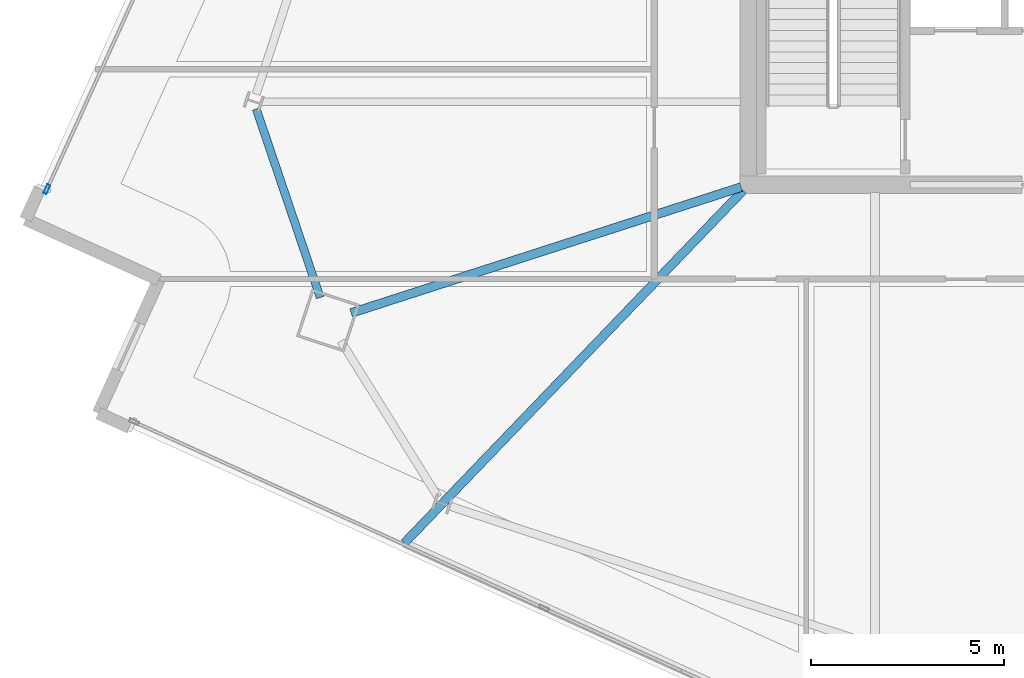
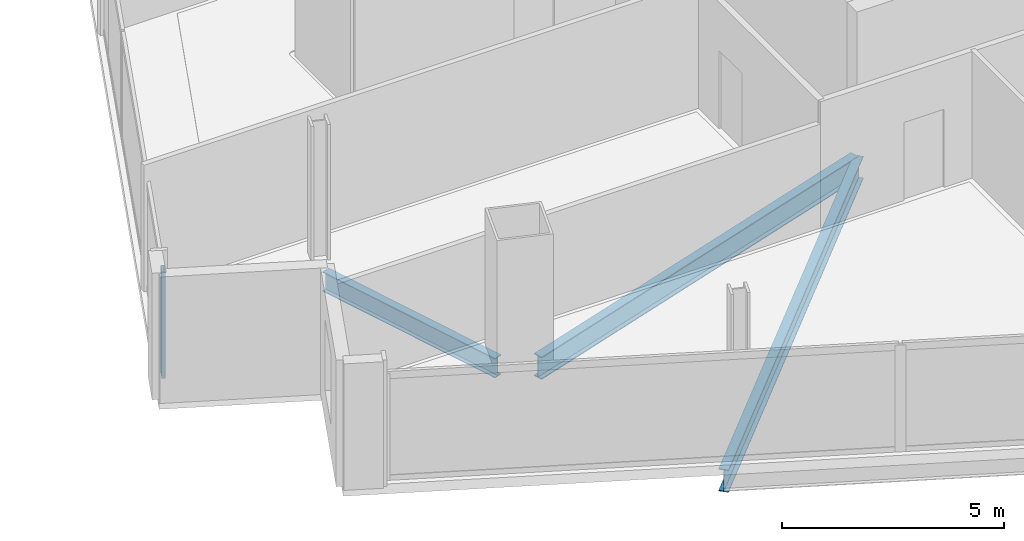
# One storey, part 5 of 26: 3 beams, 1 member, 1 element without a shape of its own.
"""IFC4 building model written with IfcOpenShell, lengths in metres."""

from ifc_helpers import new_model, si_unit, direction, frame, origin, origin_2d, place, context, subcontext, project, spatial, hollow_rectangle, i_section, extrude, material, material_profile, profile_set, type_object, element, aggregate, save


model = new_model("IFC4")

# Units and contexts
model_context = context("Model", 3, precision=1e-05, world=origin(), true_north=direction((0.0, 1.0)))
body_context = subcontext(model_context, "Body", "Model", "MODEL_VIEW")
ifc_project = project(units=[si_unit("LENGTHUNIT", "METRE"), si_unit("AREAUNIT", "SQUARE_METRE"), si_unit("VOLUMEUNIT", "CUBIC_METRE"), si_unit("PLANEANGLEUNIT", "RADIAN"), si_unit("MASSUNIT", "GRAM", prefix="KILO")], contexts=[model_context])

# Site, building, storey
site_placement = place(None, origin())
site = spatial("IfcSite", under=ifc_project, at=site_placement, CompositionType="ELEMENT")
building_placement = place(site_placement, origin())
building = spatial("IfcBuilding", under=site, at=building_placement, Name="Haldenkirk Collegiate Tower", CompositionType="ELEMENT")
storey_placement = place(building_placement, frame((0.0, 0.0, 248.699951171875)))
storey = spatial("IfcBuildingStorey", under=building, at=storey_placement, Name="L62", CompositionType="ELEMENT", Elevation=248.699951171875)

# Beams
ifc_material_1 = material(Name="Steel ASTM A992 Grade 50", Category="steel")
ifc_material_profile_1 = material_profile(ifc_material_1, i_section(OverallWidth=0.22998046875, OverallDepth=0.616943359375, WebThickness=0.01318359375, FlangeThickness=0.022216796875, at=origin_2d()), Name="W24X94")
ifc_profile_set_1 = profile_set([ifc_material_profile_1], Name="Steel ASTM A992 Grade 50")
beam_type_1 = type_object("IfcBeamType", Name="BM-GIRDER-W24X94", PredefinedType="BEAM", material=ifc_profile_set_1)
beam_1_placement = place(storey_placement, frame((16.677001953125, 14.66796875, -0.578369140625), z_axis=(0.95165454957, 0.307170340824, 0.0), x_axis=(-0.307170340824, 0.95165454957, 0.0)))
element("IfcBeam", 1, at=beam_1_placement, inside=storey, type_object=beam_type_1, Name="L62 primary floor girder 04", PredefinedType="BEAM", context=body_context, shape_type="SweptSolid", body=[
    extrude(i_section(OverallWidth=0.22998046875, OverallDepth=0.616943359375, WebThickness=0.01318359375, FlangeThickness=0.022216796875, at=origin_2d()), origin(), (0.0, 0.0, 1.0), 10.642333984375),
])
beam_2_placement = place(storey_placement, frame((18.06005859375, 8.693359375, -0.578369140625), z_axis=(0.692747884494, 0.721179844788, 0.0), x_axis=(-0.721179844788, 0.692747884494, 0.0)))
element("IfcBeam", 2, at=beam_2_placement, inside=storey, type_object=beam_type_1, Name="L62 primary floor girder 14", PredefinedType="BEAM", context=body_context, shape_type="SweptSolid", body=[
    extrude(i_section(OverallWidth=0.22998046875, OverallDepth=0.616943359375, WebThickness=0.01318359375, FlangeThickness=0.022216796875, at=origin_2d()), origin(), (0.0, 0.0, 1.0), 12.699951171875),
])
ifc_material_profile_2 = material_profile(ifc_material_1, i_section(OverallWidth=0.2099609375, OverallDepth=0.537109375, WebThickness=0.010986328125, FlangeThickness=0.017333984375, at=origin_2d()), Name="W21X68")
ifc_profile_set_2 = profile_set([ifc_material_profile_2], Name="Steel ASTM A992 Grade 50")
beam_type_2 = type_object("IfcBeamType", Name="BM-SPANDREL-W21X68", PredefinedType="SPANDREL", material=ifc_profile_set_2)
beam_3_placement = place(storey_placement, frame((14.214599609375, 19.96630859375, -0.538330078125), z_axis=(0.321210878439, -0.947007693513, 0.0), x_axis=(0.947007693513, 0.321210878439, 0.0)))
element("IfcBeam", 3, at=beam_3_placement, inside=storey, type_object=beam_type_2, Name="L62 perimeter spandrel beam 12", PredefinedType="SPANDREL", context=body_context, shape_type="SweptSolid", body=[
    extrude(i_section(OverallWidth=0.2099609375, OverallDepth=0.537109375, WebThickness=0.010986328125, FlangeThickness=0.017333984375, at=origin_2d()), origin(), (0.0, 0.0, 1.0), 5.169189453125),
])

# Curtain wall, member
ifc_material_2 = material(Name="Anodised architectural bronze aluminium", Category="aluminium")
curtain_wall_type = type_object("IfcCurtainWallType", Name="CW-SYS1B-CONVEX-HI", PredefinedType="USERDEFINED", material=ifc_material_2)
curtain_wall_placement = place(storey_placement, origin())
curtain_wall = element("IfcCurtainWall", 4, at=curtain_wall_placement, inside=storey, type_object=curtain_wall_type, Name="L62 Upper tower high-wind convex bronze unitised curtain wall", ObjectType="UNITISED CURTAIN WALL", PredefinedType="USERDEFINED")
ifc_material_profile_3 = material_profile(ifc_material_2, hollow_rectangle(XDim=0.0849609375, YDim=0.25, WallThickness=0.0048828125, at=origin_2d()), Name="CW-MUL-1B")
ifc_profile_set_3 = profile_set([ifc_material_profile_3], Name="Anodised architectural bronze aluminium")
member_type = type_object("IfcMemberType", Name="CW-MUL-1B", PredefinedType="MULLION", material=ifc_profile_set_3)
member_placement = place(storey_placement, frame((8.778564453125, 17.88134765625, 0.0), z_axis=(0.0, 0.0, 1.0), x_axis=(-0.910322702591, 0.4138992355, 0.0)))
member = element("IfcMember", 5, at=member_placement, type_object=member_type, Name="CW-1B mullion 1", PredefinedType="MULLION", context=body_context, shape_type="SweptSolid", body=[
    extrude(hollow_rectangle(XDim=0.0849609375, YDim=0.25, WallThickness=0.0048828125, at=origin_2d()), origin(), (0.0, 0.0, 1.0), 2.93798828125),
])
aggregate(curtain_wall, [member])

save(model, "model.ifc")
